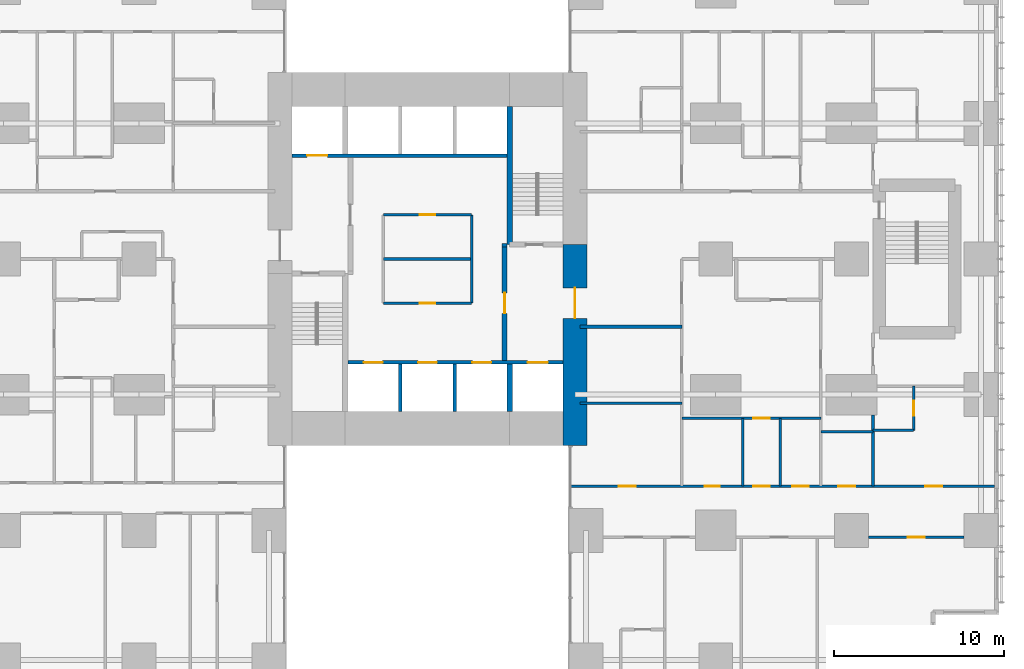
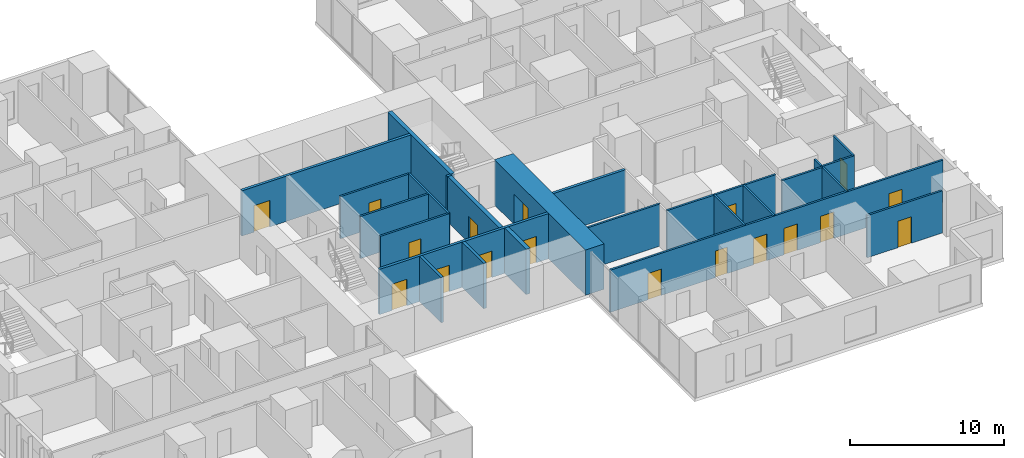
# One storey, part 15 of 20: 24 walls, 18 doors, 18 openings.
"""IFC4 building model written with IfcOpenShell, lengths in metres."""

from ifc_helpers import new_model, si_unit, direction, frame, frame_2d, origin, place, context, subcontext, project, spatial, rectangle, extrude, material, layer, layer_set, type_object, element, fill, save


model = new_model("IFC4")

# Units and contexts
model_context = context("Model", 3, precision=1e-05, world=origin(), true_north=direction((0.0, 1.0)))
body_context = subcontext(model_context, "Body", "Model", "MODEL_VIEW")
ifc_project = project(units=[si_unit("LENGTHUNIT", "METRE"), si_unit("AREAUNIT", "SQUARE_METRE"), si_unit("VOLUMEUNIT", "CUBIC_METRE"), si_unit("PLANEANGLEUNIT", "RADIAN"), si_unit("MASSUNIT", "GRAM", prefix="KILO")], contexts=[model_context])

# Site, building, storey
site_placement = place(None, origin())
site = spatial("IfcSite", under=ifc_project, at=site_placement, CompositionType="ELEMENT")
building_placement = place(site_placement, origin())
building = spatial("IfcBuilding", under=site, at=building_placement, Name="Cleftline Residences", CompositionType="ELEMENT")
storey_placement = place(building_placement, frame((0.0, 0.0, 99.800048828125)))
storey = spatial("IfcBuildingStorey", under=building, at=storey_placement, Name="L25", CompositionType="ELEMENT", Elevation=99.800048828125)

# Wall, opening, door
ifc_material_1 = material(Name="Concrete B70", Category="concrete")
ifc_layer_1 = layer(ifc_material_1, 1.39990234375)
ifc_layer_set_1 = layer_set([ifc_layer_1], Name="CORE WALL 1400")
wall_type_1 = type_object("IfcWallType", Name="CORE WALL 1400", PredefinedType="SHEAR", material=ifc_layer_set_1)
wall_1_placement = place(storey_placement, frame((41.699951171875, 13.0, 0.0), z_axis=(0.0, 0.0, 1.0), x_axis=(0.0, 1.0, 0.0)))
wall_1 = element("IfcWall", 1, at=wall_1_placement, inside=storey, type_object=wall_type_1, Name="Core wall E", PredefinedType="SHEAR", context=body_context, shape_type="SweptSolid", body=[
    extrude(rectangle(XDim=11.85009765625, YDim=1.39990234375, at=frame_2d((5.925048828125, 0.0))), origin(), (0.0, 0.0, 1.0), 3.599853515625),
])
opening_1_placement = place(wall_1_placement, frame((7.5, 0.0, 0.0)))
opening_1 = element("IfcOpeningElement", 2, at=opening_1_placement, cuts=wall_1, Name="Opening D7", PredefinedType="OPENING", context=body_context, shape_type="SweptSolid", body=[
    extrude(rectangle(XDim=1.800048828125, YDim=2.39990234375, at=frame_2d((0.89990234375, 1.199951171875))), frame((0.0, 0.7099609375, 0.0), z_axis=(0.0, -1.0, 0.0), x_axis=(1.0, 0.0, 0.0)), (0.0, 0.0, 1.0), 1.419921875),
])
ifc_material_2 = material(Name="Steel", Category="steel")
door_type_1 = type_object("IfcDoorType", Name="WING DOOR 1800X2400", OperationType="DOUBLE_DOOR_DOUBLE_SWING", PredefinedType="DOOR", material=ifc_material_2)
door_1_placement = place(opening_1_placement, origin())
door_1 = element("IfcDoor", 3, at=door_1_placement, inside=storey, type_object=door_type_1, Name="East wing door", OperationType="DOUBLE_DOOR_DOUBLE_SWING", OverallHeight=2.39990234375, OverallWidth=1.800048828125, PredefinedType="DOOR", context=body_context, shape_type="SweptSolid", body=[
    extrude(rectangle(XDim=1.800048828125, YDim=2.39990234375, at=frame_2d((0.89990234375, 1.199951171875))), frame((0.0, 0.02490234375, 0.0), z_axis=(0.0, -1.0, 0.0), x_axis=(1.0, 0.0, 0.0)), (0.0, 0.0, 1.0), 0.050048828125),
])
fill(opening_1, door_1)

# Walls
ifc_material_3 = material(Name="Concrete B70", Category="concrete")
ifc_layer_2 = layer(ifc_material_3, 0.300048828125)
ifc_layer_set_2 = layer_set([ifc_layer_2], Name="CORE WALL 300")
wall_type_2 = type_object("IfcWallType", Name="CORE WALL 300", PredefinedType="SHEAR", material=ifc_layer_set_2)
wall_2_placement = place(storey_placement, frame((37.85009765625, 24.85009765625, 0.0), z_axis=(0.0, 0.0, 1.0), x_axis=(0.0, 1.0, 0.0)))
element("IfcWall", 4, at=wall_2_placement, inside=storey, type_object=wall_type_2, Name="Core wall SB-W", PredefinedType="SHEAR", context=body_context, shape_type="SweptSolid", body=[
    extrude(rectangle(XDim=8.14990234375, YDim=0.300048828125, at=frame_2d((4.074951171875, 0.0))), origin(), (0.0, 0.0, 1.0), 3.599853515625),
])
wall_3_placement = place(storey_placement, frame((37.85009765625, 15.0, 0.0), z_axis=(0.0, 0.0, 1.0), x_axis=(0.0, 1.0, 0.0)))
element("IfcWall", 5, at=wall_3_placement, inside=storey, type_object=wall_type_2, Name="Lift shaft wall", PredefinedType="SHEAR", context=body_context, shape_type="SweptSolid", body=[
    extrude(rectangle(XDim=2.800048828125, YDim=0.300048828125, at=frame_2d((1.39990234375, 0.0))), origin(), (0.0, 0.0, 1.0), 3.599853515625),
])
ifc_material_4 = material(Name="Concrete blockwork, fire rated", Category="masonry")
ifc_layer_3 = layer(ifc_material_4, 0.199951171875)
ifc_layer_set_3 = layer_set([ifc_layer_3], Name="FIRE WALL 200")
wall_type_3 = type_object("IfcWallType", Name="FIRE WALL 200", PredefinedType="PARTITIONING", material=ifc_layer_set_3)
wall_4_placement = place(storey_placement, frame((42.0, 20.0, 0.0), z_axis=(0.0, 0.0, 1.0), x_axis=(1.0, 0.0, 0.0)))
element("IfcWall", 6, at=wall_4_placement, inside=storey, type_object=wall_type_3, Name="Fire separating wall", PredefinedType="PARTITIONING", context=body_context, shape_type="SweptSolid", body=[
    extrude(rectangle(XDim=6.0, YDim=0.199951171875, at=frame_2d((3.0, 0.0))), origin(), (0.0, 0.0, 1.0), 3.349853515625),
])
wall_5_placement = place(storey_placement, frame((37.39990234375, 24.800048828125, 0.0), z_axis=(0.0, 0.0, 1.0), x_axis=(1.0, 0.0, 0.0)))
element("IfcWall", 7, at=wall_5_placement, inside=storey, type_object=wall_type_3, Name="Fire separating wall", PredefinedType="PARTITIONING", context=body_context, shape_type="SweptSolid", body=[
    extrude(rectangle(XDim=0.300048828125, YDim=0.199951171875, at=frame_2d((0.14990234375, 0.0))), origin(), (0.0, 0.0, 1.0), 3.599853515625),
])

# Wall, opening, door
ifc_material_5 = material(Name="Gypsum board on steel studs", Category="steel")
ifc_layer_4 = layer(ifc_material_5, 0.14990234375)
ifc_layer_set_4 = layer_set([ifc_layer_4], Name="PARTITION 150")
wall_type_4 = type_object("IfcWallType", Name="PARTITION 150", PredefinedType="PARTITIONING", material=ifc_layer_set_4)
wall_6_placement = place(storey_placement, frame((59.0, 7.60009765625, 0.0), z_axis=(0.0, 0.0, 1.0), x_axis=(1.0, 0.0, 0.0)))
wall_6 = element("IfcWall", 8, at=wall_6_placement, inside=storey, type_object=wall_type_4, Name="Partition", PredefinedType="PARTITIONING", context=body_context, shape_type="SweptSolid", body=[
    extrude(rectangle(XDim=5.64990234375, YDim=0.14990234375, at=frame_2d((2.824951171875, 0.0))), origin(), (0.0, 0.0, 1.0), 3.349853515625),
])
opening_2_placement = place(wall_6_placement, frame((2.324951171875, 0.0, 0.0)))
opening_2 = element("IfcOpeningElement", 9, at=opening_2_placement, cuts=wall_6, Name="Opening D2", PredefinedType="OPENING", context=body_context, shape_type="SweptSolid", body=[
    extrude(rectangle(XDim=1.0, YDim=2.10009765625, at=frame_2d((0.5, 1.050048828125))), frame((0.0, 0.0849609375, 0.0), z_axis=(0.0, -1.0, 0.0), x_axis=(1.0, 0.0, 0.0)), (0.0, 0.0, 1.0), 0.169921875),
])
ifc_material_6 = material(Name="Timber veneer on solid core", Category="wood")
door_type_2 = type_object("IfcDoorType", Name="DOOR 1000X2100", OperationType="SINGLE_SWING_LEFT", PredefinedType="DOOR", material=ifc_material_6)
door_2_placement = place(opening_2_placement, origin())
door_2 = element("IfcDoor", 10, at=door_2_placement, inside=storey, type_object=door_type_2, Name="Door to sea-view lounge", OperationType="SINGLE_SWING_LEFT", OverallHeight=2.10009765625, OverallWidth=1.0, PredefinedType="DOOR", context=body_context, shape_type="SweptSolid", body=[
    extrude(rectangle(XDim=1.0, YDim=2.10009765625, at=frame_2d((0.5, 1.050048828125))), frame((0.0, 0.02490234375, 0.0), z_axis=(0.0, -1.0, 0.0), x_axis=(1.0, 0.0, 0.0)), (0.0, 0.0, 1.0), 0.050048828125),
])
fill(opening_2, door_2)

# Wall, openings, doors
wall_7_placement = place(storey_placement, frame((41.43896484375, 10.60009765625, 0.0), z_axis=(0.0, 0.0, 1.0), x_axis=(1.0, 0.0, 0.0)))
wall_7 = element("IfcWall", 11, at=wall_7_placement, inside=storey, type_object=wall_type_4, Name="Partition", PredefinedType="PARTITIONING", context=body_context, shape_type="SweptSolid", body=[
    extrude(rectangle(XDim=25.010986328125, YDim=0.14990234375, at=frame_2d((12.50537109375, 0.0))), origin(), (0.0, 0.0, 1.0), 3.349853515625),
])
opening_3_placement = place(wall_7_placement, frame((10.760986328125, 0.0, 0.0)))
opening_3 = element("IfcOpeningElement", 12, at=opening_3_placement, cuts=wall_7, Name="Opening D2", PredefinedType="OPENING", context=body_context, shape_type="SweptSolid", body=[
    extrude(rectangle(XDim=1.0, YDim=2.10009765625, at=frame_2d((0.5, 1.050048828125))), frame((0.0, 0.0849609375, 0.0), z_axis=(0.0, -1.0, 0.0), x_axis=(1.0, 0.0, 0.0)), (0.0, 0.0, 1.0), 0.169921875),
])
opening_4_placement = place(wall_7_placement, frame((20.923583984375, 0.0, 0.0)))
opening_4 = element("IfcOpeningElement", 13, at=opening_4_placement, cuts=wall_7, Name="Opening D2", PredefinedType="OPENING", context=body_context, shape_type="SweptSolid", body=[
    extrude(rectangle(XDim=1.0, YDim=2.10009765625, at=frame_2d((0.5, 1.050048828125))), frame((0.0, 0.0849609375, 0.0), z_axis=(0.0, -1.0, 0.0), x_axis=(1.0, 0.0, 0.0)), (0.0, 0.0, 1.0), 0.169921875),
])
opening_5_placement = place(wall_7_placement, frame((15.798583984375, 0.0, 0.0)))
opening_5 = element("IfcOpeningElement", 14, at=opening_5_placement, cuts=wall_7, Name="Opening D2", PredefinedType="OPENING", context=body_context, shape_type="SweptSolid", body=[
    extrude(rectangle(XDim=1.0, YDim=2.10009765625, at=frame_2d((0.5, 1.050048828125))), frame((0.0, 0.0849609375, 0.0), z_axis=(0.0, -1.0, 0.0), x_axis=(1.0, 0.0, 0.0)), (0.0, 0.0, 1.0), 0.169921875),
])
opening_6_placement = place(wall_7_placement, frame((13.06103515625, 0.0, 0.0)))
opening_6 = element("IfcOpeningElement", 15, at=opening_6_placement, cuts=wall_7, Name="Opening D2", PredefinedType="OPENING", context=body_context, shape_type="SweptSolid", body=[
    extrude(rectangle(XDim=1.0, YDim=2.10009765625, at=frame_2d((0.5, 1.050048828125))), frame((0.0, 0.0849609375, 0.0), z_axis=(0.0, -1.0, 0.0), x_axis=(1.0, 0.0, 0.0)), (0.0, 0.0, 1.0), 0.169921875),
])
opening_7_placement = place(wall_7_placement, frame((7.910888671875, 0.0, 0.0)))
opening_7 = element("IfcOpeningElement", 16, at=opening_7_placement, cuts=wall_7, Name="Opening D1", PredefinedType="OPENING", context=body_context, shape_type="SweptSolid", body=[
    extrude(rectangle(XDim=0.89990234375, YDim=2.10009765625, at=frame_2d((0.449951171875, 1.050048828125))), frame((0.0, 0.0849609375, 0.0), z_axis=(0.0, -1.0, 0.0), x_axis=(1.0, 0.0, 0.0)), (0.0, 0.0, 1.0), 0.169921875),
])
opening_8_placement = place(wall_7_placement, frame((2.8359375, 0.0, 0.0)))
opening_8 = element("IfcOpeningElement", 17, at=opening_8_placement, cuts=wall_7, Name="Opening D2", PredefinedType="OPENING", context=body_context, shape_type="SweptSolid", body=[
    extrude(rectangle(XDim=1.0, YDim=2.10009765625, at=frame_2d((0.5, 1.050048828125))), frame((0.0, 0.0849609375, 0.0), z_axis=(0.0, -1.0, 0.0), x_axis=(1.0, 0.0, 0.0)), (0.0, 0.0, 1.0), 0.169921875),
])
door_3_placement = place(opening_3_placement, origin())
door_3 = element("IfcDoor", 18, at=door_3_placement, inside=storey, type_object=door_type_2, Name="Door to residence hall", OperationType="SINGLE_SWING_RIGHT", OverallHeight=2.10009765625, OverallWidth=1.0, PredefinedType="DOOR", context=body_context, shape_type="SweptSolid", body=[
    extrude(rectangle(XDim=1.0, YDim=2.10009765625, at=frame_2d((0.5, 1.050048828125))), frame((0.0, 0.02490234375, 0.0), z_axis=(0.0, -1.0, 0.0), x_axis=(1.0, 0.0, 0.0)), (0.0, 0.0, 1.0), 0.050048828125),
])
fill(opening_3, door_3)
door_4_placement = place(opening_4_placement, origin())
door_4 = element("IfcDoor", 19, at=door_4_placement, inside=storey, type_object=door_type_2, Name="Door to master bedroom", OperationType="SINGLE_SWING_LEFT", OverallHeight=2.10009765625, OverallWidth=1.0, PredefinedType="DOOR", context=body_context, shape_type="SweptSolid", body=[
    extrude(rectangle(XDim=1.0, YDim=2.10009765625, at=frame_2d((0.5, 1.050048828125))), frame((0.0, 0.02490234375, 0.0), z_axis=(0.0, -1.0, 0.0), x_axis=(1.0, 0.0, 0.0)), (0.0, 0.0, 1.0), 0.050048828125),
])
fill(opening_4, door_4)
door_5_placement = place(opening_5_placement, origin())
door_5 = element("IfcDoor", 20, at=door_5_placement, inside=storey, type_object=door_type_2, Name="Door to wet kitchen", OperationType="SINGLE_SWING_LEFT", OverallHeight=2.10009765625, OverallWidth=1.0, PredefinedType="DOOR", context=body_context, shape_type="SweptSolid", body=[
    extrude(rectangle(XDim=1.0, YDim=2.10009765625, at=frame_2d((0.5, 1.050048828125))), frame((0.0, 0.02490234375, 0.0), z_axis=(0.0, -1.0, 0.0), x_axis=(1.0, 0.0, 0.0)), (0.0, 0.0, 1.0), 0.050048828125),
])
fill(opening_5, door_5)
door_6_placement = place(opening_6_placement, origin())
door_6 = element("IfcDoor", 21, at=door_6_placement, inside=storey, type_object=door_type_2, Name="Door to media room", OperationType="SINGLE_SWING_LEFT", OverallHeight=2.10009765625, OverallWidth=1.0, PredefinedType="DOOR", context=body_context, shape_type="SweptSolid", body=[
    extrude(rectangle(XDim=1.0, YDim=2.10009765625, at=frame_2d((0.5, 1.050048828125))), frame((0.0, 0.02490234375, 0.0), z_axis=(0.0, -1.0, 0.0), x_axis=(1.0, 0.0, 0.0)), (0.0, 0.0, 1.0), 0.050048828125),
])
fill(opening_6, door_6)
door_7_placement = place(opening_8_placement, origin())
door_7 = element("IfcDoor", 22, at=door_7_placement, inside=storey, type_object=door_type_2, Name="Door to study", OperationType="SINGLE_SWING_RIGHT", OverallHeight=2.10009765625, OverallWidth=1.0, PredefinedType="DOOR", context=body_context, shape_type="SweptSolid", body=[
    extrude(rectangle(XDim=1.0, YDim=2.10009765625, at=frame_2d((0.5, 1.050048828125))), frame((0.0, 0.02490234375, 0.0), z_axis=(0.0, -1.0, 0.0), x_axis=(1.0, 0.0, 0.0)), (0.0, 0.0, 1.0), 0.050048828125),
])
fill(opening_8, door_7)
ifc_material_7 = material(Name="Timber veneer on solid core", Category="wood")
door_type_3 = type_object("IfcDoorType", Name="DOOR 900X2100", OperationType="SINGLE_SWING_LEFT", PredefinedType="DOOR", material=ifc_material_7)
door_8_placement = place(opening_7_placement, origin())
door_8 = element("IfcDoor", 23, at=door_8_placement, inside=storey, type_object=door_type_3, Name="Door to bedroom 2 bathroom", OperationType="SINGLE_SWING_RIGHT", OverallHeight=2.10009765625, OverallWidth=0.89990234375, PredefinedType="DOOR", context=body_context, shape_type="SweptSolid", body=[
    extrude(rectangle(XDim=0.89990234375, YDim=2.10009765625, at=frame_2d((0.449951171875, 1.050048828125))), frame((0.0, 0.02490234375, 0.0), z_axis=(0.0, -1.0, 0.0), x_axis=(1.0, 0.0, 0.0)), (0.0, 0.0, 1.0), 0.050048828125),
])
fill(opening_7, door_8)

# Walls
wall_8_placement = place(storey_placement, frame((56.199951171875, 13.800048828125, 0.0), z_axis=(0.0, 0.0, 1.0), x_axis=(1.0, 0.0, 0.0)))
element("IfcWall", 24, at=wall_8_placement, inside=storey, type_object=wall_type_4, Name="Partition", PredefinedType="PARTITIONING", context=body_context, shape_type="SweptSolid", body=[
    extrude(rectangle(XDim=3.074951171875, YDim=0.14990234375, at=frame_2d((1.53759765625, 0.0))), origin(), (0.0, 0.0, 1.0), 3.349853515625),
])
wall_9_placement = place(storey_placement, frame((59.27490234375, 13.89990234375, 0.0), z_axis=(0.0, 0.0, 1.0), x_axis=(1.0, 0.0, 0.0)))
element("IfcWall", 25, at=wall_9_placement, inside=storey, type_object=wall_type_4, Name="Partition", PredefinedType="PARTITIONING", context=body_context, shape_type="SweptSolid", body=[
    extrude(rectangle(XDim=2.400146484375, YDim=0.14990234375, at=frame_2d((1.2001953125, 0.0))), origin(), (0.0, 0.0, 1.0), 3.349853515625),
])

# Wall, opening, door
wall_10_placement = place(storey_placement, frame((48.0, 14.60009765625, 0.0), z_axis=(0.0, 0.0, 1.0), x_axis=(1.0, 0.0, 0.0)))
wall_10 = element("IfcWall", 26, at=wall_10_placement, inside=storey, type_object=wall_type_4, Name="Partition", PredefinedType="PARTITIONING", context=body_context, shape_type="SweptSolid", body=[
    extrude(rectangle(XDim=8.199951171875, YDim=0.14990234375, at=frame_2d((4.10009765625, 0.0))), origin(), (0.0, 0.0, 1.0), 3.349853515625),
])
opening_9_placement = place(wall_10_placement, frame((4.199951171875, 0.0, 0.0)))
opening_9 = element("IfcOpeningElement", 27, at=opening_9_placement, cuts=wall_10, Name="Opening D2", PredefinedType="OPENING", context=body_context, shape_type="SweptSolid", body=[
    extrude(rectangle(XDim=1.0, YDim=2.10009765625, at=frame_2d((0.5, 1.050048828125))), frame((0.0, 0.0849609375, 0.0), z_axis=(0.0, -1.0, 0.0), x_axis=(1.0, 0.0, 0.0)), (0.0, 0.0, 1.0), 0.169921875),
])
door_9_placement = place(opening_9_placement, origin())
door_9 = element("IfcDoor", 28, at=door_9_placement, inside=storey, type_object=door_type_2, Name="Door to residence passage", OperationType="SINGLE_SWING_LEFT", OverallHeight=2.10009765625, OverallWidth=1.0, PredefinedType="DOOR", context=body_context, shape_type="SweptSolid", body=[
    extrude(rectangle(XDim=1.0, YDim=2.10009765625, at=frame_2d((0.5, 1.050048828125))), frame((0.0, 0.02490234375, 0.0), z_axis=(0.0, -1.0, 0.0), x_axis=(1.0, 0.0, 0.0)), (0.0, 0.0, 1.0), 0.050048828125),
])
fill(opening_9, door_9)

# Walls
wall_11_placement = place(storey_placement, frame((42.0, 15.5, 0.0), z_axis=(0.0, 0.0, 1.0), x_axis=(1.0, 0.0, 0.0)))
element("IfcWall", 29, at=wall_11_placement, inside=storey, type_object=wall_type_4, Name="Partition", PredefinedType="PARTITIONING", context=body_context, shape_type="SweptSolid", body=[
    extrude(rectangle(XDim=6.0, YDim=0.14990234375, at=frame_2d((3.0, 0.0))), origin(), (0.0, 0.0, 1.0), 3.349853515625),
])
for number, where, z_axis, x_axis, name in (
    (30, (51.60009765625, 10.60009765625, 0.0), (0.0, 0.0, 1.0), (0.0, 1.0, 0.0), "Partition"),
    (31, (53.800048828125, 10.60009765625, 0.0), (0.0, 0.0, 1.0), (0.0, 1.0, 0.0), "Partition"),
):
    element("IfcWall", number, at=place(storey_placement, frame(where, z_axis=z_axis, x_axis=x_axis)), inside=storey, type_object=wall_type_4, Name=name, PredefinedType="PARTITIONING", context=body_context, shape_type="SweptSolid", body=[
        extrude(rectangle(XDim=4.0, YDim=0.14990234375, at=frame_2d((2.0, 0.0))), origin(), (0.0, 0.0, 1.0), 3.349853515625),
    ])
wall_12_placement = place(storey_placement, frame((59.27490234375, 10.60009765625, 0.0), z_axis=(0.0, 0.0, 1.0), x_axis=(0.0, 1.0, 0.0)))
element("IfcWall", 32, at=wall_12_placement, inside=storey, type_object=wall_type_4, Name="Partition", PredefinedType="PARTITIONING", context=body_context, shape_type="SweptSolid", body=[
    extrude(rectangle(XDim=4.199951171875, YDim=0.14990234375, at=frame_2d((2.10009765625, 0.0))), origin(), (0.0, 0.0, 1.0), 3.349853515625),
])

# Wall, opening, door
wall_13_placement = place(storey_placement, frame((61.675048828125, 13.89990234375, 0.0), z_axis=(0.0, 0.0, 1.0), x_axis=(0.0, 1.0, 0.0)))
wall_13 = element("IfcWall", 33, at=wall_13_placement, inside=storey, type_object=wall_type_4, Name="Partition", PredefinedType="PARTITIONING", context=body_context, shape_type="SweptSolid", body=[
    extrude(rectangle(XDim=2.60009765625, YDim=0.14990234375, at=frame_2d((1.300048828125, 0.0))), origin(), (0.0, 0.0, 1.0), 3.349853515625),
])
opening_10_placement = place(wall_13_placement, frame((0.85009765625, 0.0, 0.0)))
opening_10 = element("IfcOpeningElement", 34, at=opening_10_placement, cuts=wall_13, Name="Opening D1", PredefinedType="OPENING", context=body_context, shape_type="SweptSolid", body=[
    extrude(rectangle(XDim=0.89990234375, YDim=2.10009765625, at=frame_2d((0.449951171875, 1.050048828125))), frame((0.0, 0.0849609375, 0.0), z_axis=(0.0, -1.0, 0.0), x_axis=(1.0, 0.0, 0.0)), (0.0, 0.0, 1.0), 0.169921875),
])
door_10_placement = place(opening_10_placement, origin())
door_10 = element("IfcDoor", 35, at=door_10_placement, inside=storey, type_object=door_type_3, Name="Door to master bathroom", OperationType="SINGLE_SWING_LEFT", OverallHeight=2.10009765625, OverallWidth=0.89990234375, PredefinedType="DOOR", context=body_context, shape_type="SweptSolid", body=[
    extrude(rectangle(XDim=0.89990234375, YDim=2.10009765625, at=frame_2d((0.449951171875, 1.050048828125))), frame((0.0, 0.02490234375, 0.0), z_axis=(0.0, -1.0, 0.0), x_axis=(1.0, 0.0, 0.0)), (0.0, 0.0, 1.0), 0.050048828125),
])
fill(opening_10, door_10)

ifc_material_8 = material(Name="Fire-resisting gypsum board on steel studs", Category="steel")
ifc_layer_5 = layer(ifc_material_8, 0.14990234375)
ifc_layer_set_5 = layer_set([ifc_layer_5], Name="PARTITION 150 EI 60")
wall_type_5 = type_object("IfcWallType", Name="PARTITION 150 EI 60", PredefinedType="PARTITIONING", material=ifc_layer_set_5)
wall_14_placement = place(storey_placement, frame((30.39990234375, 21.39990234375, 0.0), z_axis=(0.0, 0.0, 1.0), x_axis=(1.0, 0.0, 0.0)))
wall_14 = element("IfcWall", 36, at=wall_14_placement, inside=storey, type_object=wall_type_5, Name="Core room partition", PredefinedType="PARTITIONING", context=body_context, shape_type="SweptSolid", body=[
    extrude(rectangle(XDim=5.2001953125, YDim=0.14990234375, at=frame_2d((2.60009765625, 0.0))), origin(), (0.0, 0.0, 1.0), 3.349853515625),
])
opening_11_placement = place(wall_14_placement, frame((2.14990234375, 0.0, 0.0)))
opening_11 = element("IfcOpeningElement", 37, at=opening_11_placement, cuts=wall_14, Name="Opening D1F30", PredefinedType="OPENING", context=body_context, shape_type="SweptSolid", body=[
    extrude(rectangle(XDim=0.89990234375, YDim=2.10009765625, at=frame_2d((0.449951171875, 1.050048828125))), frame((0.0, 0.0849609375, 0.0), z_axis=(0.0, -1.0, 0.0), x_axis=(1.0, 0.0, 0.0)), (0.0, 0.0, 1.0), 0.169921875),
])
ifc_material_9 = material(Name="Timber veneer on solid core", Category="wood")
door_type_4 = type_object("IfcDoorType", Name="DOOR 900X2100 EI 30", OperationType="SINGLE_SWING_LEFT", PredefinedType="DOOR", material=ifc_material_9)
door_11_placement = place(opening_11_placement, origin())
door_11 = element("IfcDoor", 38, at=door_11_placement, inside=storey, type_object=door_type_4, Name="Door to maintenance store", OperationType="SINGLE_SWING_LEFT", OverallHeight=2.10009765625, OverallWidth=0.89990234375, PredefinedType="DOOR", context=body_context, shape_type="SweptSolid", body=[
    extrude(rectangle(XDim=0.89990234375, YDim=2.10009765625, at=frame_2d((0.449951171875, 1.050048828125))), frame((0.0, 0.02490234375, 0.0), z_axis=(0.0, -1.0, 0.0), x_axis=(1.0, 0.0, 0.0)), (0.0, 0.0, 1.0), 0.050048828125),
])
fill(opening_11, door_11)

wall_15_placement = place(storey_placement, frame((30.39990234375, 26.60009765625, 0.0), z_axis=(0.0, 0.0, 1.0), x_axis=(1.0, 0.0, 0.0)))
wall_15 = element("IfcWall", 39, at=wall_15_placement, inside=storey, type_object=wall_type_5, Name="Core room partition", PredefinedType="PARTITIONING", context=body_context, shape_type="SweptSolid", body=[
    extrude(rectangle(XDim=5.2001953125, YDim=0.14990234375, at=frame_2d((2.60009765625, 0.0))), origin(), (0.0, 0.0, 1.0), 3.349853515625),
])
opening_12_placement = place(wall_15_placement, frame((2.14990234375, 0.0, 0.0)))
opening_12 = element("IfcOpeningElement", 40, at=opening_12_placement, cuts=wall_15, Name="Opening D1F30", PredefinedType="OPENING", context=body_context, shape_type="SweptSolid", body=[
    extrude(rectangle(XDim=0.89990234375, YDim=2.10009765625, at=frame_2d((0.449951171875, 1.050048828125))), frame((0.0, 0.0849609375, 0.0), z_axis=(0.0, -1.0, 0.0), x_axis=(1.0, 0.0, 0.0)), (0.0, 0.0, 1.0), 0.169921875),
])
door_12_placement = place(opening_12_placement, origin())
door_12 = element("IfcDoor", 41, at=door_12_placement, inside=storey, type_object=door_type_4, Name="Door to housekeeping pantry", OperationType="SINGLE_SWING_LEFT", OverallHeight=2.10009765625, OverallWidth=0.89990234375, PredefinedType="DOOR", context=body_context, shape_type="SweptSolid", body=[
    extrude(rectangle(XDim=0.89990234375, YDim=2.10009765625, at=frame_2d((0.449951171875, 1.050048828125))), frame((0.0, 0.02490234375, 0.0), z_axis=(0.0, -1.0, 0.0), x_axis=(1.0, 0.0, 0.0)), (0.0, 0.0, 1.0), 0.050048828125),
])
fill(opening_12, door_12)

# Walls
for number, where, z_axis, x_axis, name in (
    (42, (35.60009765625, 21.39990234375, 0.0), (0.0, 0.0, 1.0), (0.0, 1.0, 0.0), "Core room partition"),
    (43, (30.39990234375, 24.0, 0.0), (0.0, 0.0, 1.0), (1.0, 0.0, 0.0), "Core room partition"),
):
    element("IfcWall", number, at=place(storey_placement, frame(where, z_axis=z_axis, x_axis=x_axis)), inside=storey, type_object=wall_type_5, Name=name, PredefinedType="PARTITIONING", context=body_context, shape_type="SweptSolid", body=[
        extrude(rectangle(XDim=5.2001953125, YDim=0.14990234375, at=frame_2d((2.60009765625, 0.0))), origin(), (0.0, 0.0, 1.0), 3.349853515625),
    ])

# Wall, openings, doors
ifc_material_10 = material(Name="Concrete blockwork, fire rated", Category="masonry")
ifc_layer_6 = layer(ifc_material_10, 0.199951171875)
ifc_layer_set_6 = layer_set([ifc_layer_6], Name="SHAFT WALL 200")
wall_type_6 = type_object("IfcWallType", Name="SHAFT WALL 200", PredefinedType="PARTITIONING", material=ifc_layer_set_6)
wall_16_placement = place(storey_placement, frame((28.300048828125, 17.89990234375, 0.0), z_axis=(0.0, 0.0, 1.0), x_axis=(1.0, 0.0, 0.0)))
wall_16 = element("IfcWall", 44, at=wall_16_placement, inside=storey, type_object=wall_type_6, Name="Lift shaft wall", PredefinedType="PARTITIONING", context=body_context, shape_type="SweptSolid", body=[
    extrude(rectangle(XDim=12.699951171875, YDim=0.199951171875, at=frame_2d((6.35009765625, 0.0))), origin(), (0.0, 0.0, 1.0), 3.599853515625),
])
opening_13_placement = place(wall_16_placement, frame((0.949951171875, 0.0, 0.0)))
opening_13 = element("IfcOpeningElement", 45, at=opening_13_placement, cuts=wall_16, Name="Opening LD1", PredefinedType="OPENING", context=body_context, shape_type="SweptSolid", body=[
    extrude(rectangle(XDim=1.10009765625, YDim=2.10009765625, at=frame_2d((0.550048828125, 1.050048828125))), frame((0.0, 0.10986328125, 0.0), z_axis=(0.0, -1.0, 0.0), x_axis=(1.0, 0.0, 0.0)), (0.0, 0.0, 1.0), 0.219970703125),
])
opening_14_placement = place(wall_16_placement, frame((4.14990234375, 0.0, 0.0)))
opening_14 = element("IfcOpeningElement", 46, at=opening_14_placement, cuts=wall_16, Name="Opening LD1", PredefinedType="OPENING", context=body_context, shape_type="SweptSolid", body=[
    extrude(rectangle(XDim=1.10009765625, YDim=2.10009765625, at=frame_2d((0.550048828125, 1.050048828125))), frame((0.0, 0.10986328125, 0.0), z_axis=(0.0, -1.0, 0.0), x_axis=(1.0, 0.0, 0.0)), (0.0, 0.0, 1.0), 0.219970703125),
])
opening_15_placement = place(wall_16_placement, frame((7.35009765625, 0.0, 0.0)))
opening_15 = element("IfcOpeningElement", 47, at=opening_15_placement, cuts=wall_16, Name="Opening LD1", PredefinedType="OPENING", context=body_context, shape_type="SweptSolid", body=[
    extrude(rectangle(XDim=1.10009765625, YDim=2.10009765625, at=frame_2d((0.550048828125, 1.050048828125))), frame((0.0, 0.10986328125, 0.0), z_axis=(0.0, -1.0, 0.0), x_axis=(1.0, 0.0, 0.0)), (0.0, 0.0, 1.0), 0.219970703125),
])
opening_16_placement = place(wall_16_placement, frame((10.60009765625, 0.0, 0.0)))
opening_16 = element("IfcOpeningElement", 48, at=opening_16_placement, cuts=wall_16, Name="Opening LD2", PredefinedType="OPENING", context=body_context, shape_type="SweptSolid", body=[
    extrude(rectangle(XDim=1.199951171875, YDim=2.10009765625, at=frame_2d((0.60009765625, 1.050048828125))), frame((0.0, 0.10986328125, 0.0), z_axis=(0.0, -1.0, 0.0), x_axis=(1.0, 0.0, 0.0)), (0.0, 0.0, 1.0), 0.219970703125),
])
ifc_material_11 = material(Name="Steel", Category="steel")
door_type_5 = type_object("IfcDoorType", Name="FIREFIGHTING LIFT LANDING DOOR 1200X2100", OperationType="SLIDING_TO_LEFT", PredefinedType="DOOR", material=ifc_material_11)
door_13_placement = place(opening_16_placement, origin())
door_13 = element("IfcDoor", 49, at=door_13_placement, inside=storey, type_object=door_type_5, Name="Lift FL2 landing door", OperationType="SLIDING_TO_LEFT", OverallHeight=2.10009765625, OverallWidth=1.199951171875, PredefinedType="DOOR", context=body_context, shape_type="SweptSolid", body=[
    extrude(rectangle(XDim=1.199951171875, YDim=2.10009765625, at=frame_2d((0.60009765625, 1.050048828125))), frame((0.0, 0.02490234375, 0.0), z_axis=(0.0, -1.0, 0.0), x_axis=(1.0, 0.0, 0.0)), (0.0, 0.0, 1.0), 0.050048828125),
])
fill(opening_16, door_13)
ifc_material_12 = material(Name="Steel", Category="steel")
door_type_6 = type_object("IfcDoorType", Name="LIFT LANDING DOOR 1100X2100", OperationType="SLIDING_TO_LEFT", PredefinedType="DOOR", material=ifc_material_12)
door_14_placement = place(opening_13_placement, origin())
door_14 = element("IfcDoor", 50, at=door_14_placement, inside=storey, type_object=door_type_6, Name="Lift P1 landing door", OperationType="SLIDING_TO_LEFT", OverallHeight=2.10009765625, OverallWidth=1.10009765625, PredefinedType="DOOR", context=body_context, shape_type="SweptSolid", body=[
    extrude(rectangle(XDim=1.10009765625, YDim=2.10009765625, at=frame_2d((0.550048828125, 1.050048828125))), frame((0.0, 0.02490234375, 0.0), z_axis=(0.0, -1.0, 0.0), x_axis=(1.0, 0.0, 0.0)), (0.0, 0.0, 1.0), 0.050048828125),
])
fill(opening_13, door_14)
door_15_placement = place(opening_14_placement, origin())
door_15 = element("IfcDoor", 51, at=door_15_placement, inside=storey, type_object=door_type_6, Name="Lift P2 landing door", OperationType="SLIDING_TO_LEFT", OverallHeight=2.10009765625, OverallWidth=1.10009765625, PredefinedType="DOOR", context=body_context, shape_type="SweptSolid", body=[
    extrude(rectangle(XDim=1.10009765625, YDim=2.10009765625, at=frame_2d((0.550048828125, 1.050048828125))), frame((0.0, 0.02490234375, 0.0), z_axis=(0.0, -1.0, 0.0), x_axis=(1.0, 0.0, 0.0)), (0.0, 0.0, 1.0), 0.050048828125),
])
fill(opening_14, door_15)
door_16_placement = place(opening_15_placement, origin())
door_16 = element("IfcDoor", 52, at=door_16_placement, inside=storey, type_object=door_type_6, Name="Lift P3 landing door", OperationType="SLIDING_TO_LEFT", OverallHeight=2.10009765625, OverallWidth=1.10009765625, PredefinedType="DOOR", context=body_context, shape_type="SweptSolid", body=[
    extrude(rectangle(XDim=1.10009765625, YDim=2.10009765625, at=frame_2d((0.550048828125, 1.050048828125))), frame((0.0, 0.02490234375, 0.0), z_axis=(0.0, -1.0, 0.0), x_axis=(1.0, 0.0, 0.0)), (0.0, 0.0, 1.0), 0.050048828125),
])
fill(opening_15, door_16)

# Wall, opening, door
wall_17_placement = place(storey_placement, frame((25.0, 30.10009765625, 0.0), z_axis=(0.0, 0.0, 1.0), x_axis=(1.0, 0.0, 0.0)))
wall_17 = element("IfcWall", 53, at=wall_17_placement, inside=storey, type_object=wall_type_6, Name="Lift shaft wall", PredefinedType="PARTITIONING", context=body_context, shape_type="SweptSolid", body=[
    extrude(rectangle(XDim=12.699951171875, YDim=0.199951171875, at=frame_2d((6.35009765625, 0.0))), origin(), (0.0, 0.0, 1.0), 3.599853515625),
])
opening_17_placement = place(wall_17_placement, frame((0.89990234375, 0.0, 0.0)))
opening_17 = element("IfcOpeningElement", 54, at=opening_17_placement, cuts=wall_17, Name="Opening LD2", PredefinedType="OPENING", context=body_context, shape_type="SweptSolid", body=[
    extrude(rectangle(XDim=1.199951171875, YDim=2.10009765625, at=frame_2d((0.60009765625, 1.050048828125))), frame((0.0, 0.10986328125, 0.0), z_axis=(0.0, -1.0, 0.0), x_axis=(1.0, 0.0, 0.0)), (0.0, 0.0, 1.0), 0.219970703125),
])
door_17_placement = place(opening_17_placement, origin())
door_17 = element("IfcDoor", 55, at=door_17_placement, inside=storey, type_object=door_type_5, Name="Lift FL1 landing door", OperationType="SLIDING_TO_LEFT", OverallHeight=2.10009765625, OverallWidth=1.199951171875, PredefinedType="DOOR", context=body_context, shape_type="SweptSolid", body=[
    extrude(rectangle(XDim=1.199951171875, YDim=2.10009765625, at=frame_2d((0.60009765625, 1.050048828125))), frame((0.0, 0.02490234375, 0.0), z_axis=(0.0, -1.0, 0.0), x_axis=(1.0, 0.0, 0.0)), (0.0, 0.0, 1.0), 0.050048828125),
])
fill(opening_17, door_17)

# Walls
for number, where, z_axis, x_axis, name in (
    (56, (31.39990234375, 15.0, 0.0), (0.0, 0.0, 1.0), (0.0, 1.0, 0.0), "Lift shaft wall"),
    (57, (34.60009765625, 15.0, 0.0), (0.0, 0.0, 1.0), (0.0, 1.0, 0.0), "Lift shaft wall"),
):
    element("IfcWall", number, at=place(storey_placement, frame(where, z_axis=z_axis, x_axis=x_axis)), inside=storey, type_object=wall_type_6, Name=name, PredefinedType="PARTITIONING", context=body_context, shape_type="SweptSolid", body=[
        extrude(rectangle(XDim=2.800048828125, YDim=0.199951171875, at=frame_2d((1.39990234375, 0.0))), origin(), (0.0, 0.0, 1.0), 3.599853515625),
    ])

# Wall, opening, door
ifc_material_13 = material(Name="Concrete blockwork, fire rated", Category="masonry")
ifc_layer_7 = layer(ifc_material_13, 0.300048828125)
ifc_layer_set_7 = layer_set([ifc_layer_7], Name="STAIR LOBBY WALL 300")
wall_type_7 = type_object("IfcWallType", Name="STAIR LOBBY WALL 300", PredefinedType="PARTITIONING", material=ifc_layer_set_7)
wall_18_placement = place(storey_placement, frame((37.550048828125, 18.0, 0.0), z_axis=(0.0, 0.0, 1.0), x_axis=(0.0, 1.0, 0.0)))
wall_18 = element("IfcWall", 58, at=wall_18_placement, inside=storey, type_object=wall_type_7, Name="Stair and lobby wall FB-W", PredefinedType="PARTITIONING", context=body_context, shape_type="SweptSolid", body=[
    extrude(rectangle(XDim=6.699951171875, YDim=0.300048828125, at=frame_2d((3.35009765625, 0.0))), origin(), (0.0, 0.0, 1.0), 3.599853515625),
])
opening_18_placement = place(wall_18_placement, frame((2.800048828125, 0.0, 0.0)))
opening_18 = element("IfcOpeningElement", 59, at=opening_18_placement, cuts=wall_18, Name="Opening D6", PredefinedType="OPENING", context=body_context, shape_type="SweptSolid", body=[
    extrude(rectangle(XDim=1.199951171875, YDim=2.10009765625, at=frame_2d((0.60009765625, 1.050048828125))), frame((0.0, 0.159912109375, 0.0), z_axis=(0.0, -1.0, 0.0), x_axis=(1.0, 0.0, 0.0)), (0.0, 0.0, 1.0), 0.320068359375),
])
ifc_material_14 = material(Name="Steel", Category="steel")
door_type_7 = type_object("IfcDoorType", Name="LOBBY DOOR 1200X2100", OperationType="SINGLE_SWING_RIGHT", PredefinedType="DOOR", material=ifc_material_14)
door_18_placement = place(opening_18_placement, origin())
door_18 = element("IfcDoor", 60, at=door_18_placement, inside=storey, type_object=door_type_7, Name="Firefighting lobby B door", OperationType="SINGLE_SWING_LEFT", OverallHeight=2.10009765625, OverallWidth=1.199951171875, PredefinedType="DOOR", context=body_context, shape_type="SweptSolid", body=[
    extrude(rectangle(XDim=1.199951171875, YDim=2.10009765625, at=frame_2d((0.60009765625, 1.050048828125))), frame((0.0, 0.02490234375, 0.0), z_axis=(0.0, -1.0, 0.0), x_axis=(1.0, 0.0, 0.0)), (0.0, 0.0, 1.0), 0.050048828125),
])
fill(opening_18, door_18)

save(model, "model.ifc")
